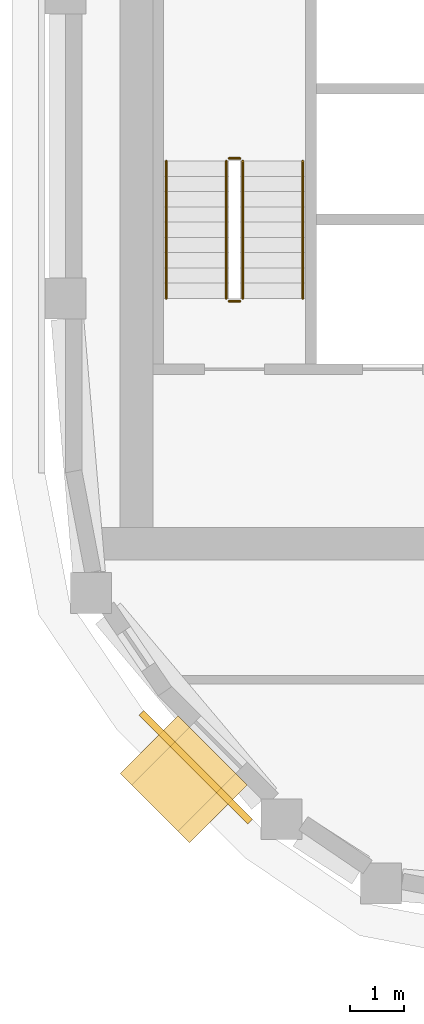
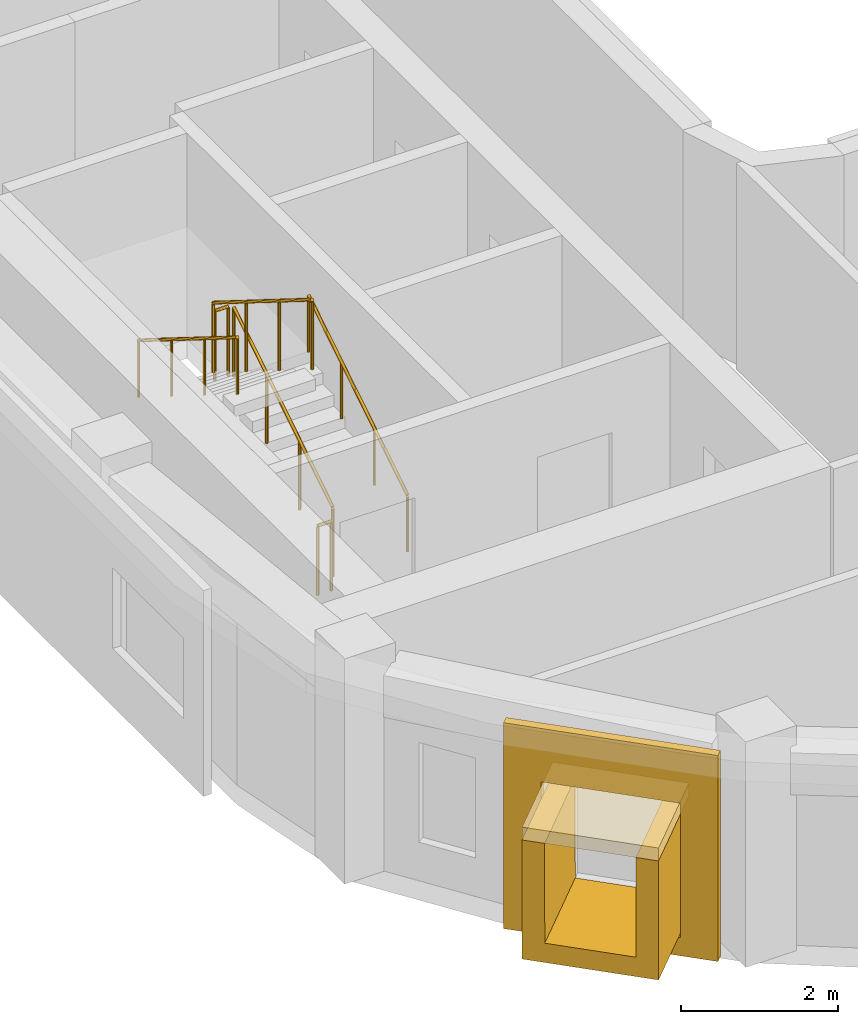
# One storey, part 10 of 16: 6 railings, 3 coverings.
"""IFC4 building model written with IfcOpenShell, lengths in metres."""

import ifcopenshell
import ifcopenshell.guid

model = None  # the IFC model being written
_history = None  # IfcOwnerHistory: only IFC2X3 demands one
_inside = {}  # id of a spatial element -> (the spatial element, [elements in it])
_under = {}  # id of a project, library or spatial element -> (it, [spatial elements below it])
_declared = {}  # id of a project -> (the project, [libraries it declares])
_typed = {}  # id of a type object -> (the type object, [elements of that type])
_made_of = {}  # id of a material, layer set ... -> (it, [elements and type objects made of it])


def new_model(schema):
    """Start an empty IFC model of exactly this schema.

    Asked for "IFC4X3", IfcOpenShell would pick the latest addendum, in which some entities
    have other attributes; the version numbers below select the first issue.
    IFC2X3 requires an IfcOwnerHistory on every rooted entity: one is made here for all.
    """
    global model, _history
    if schema == "IFC4X3":
        model = ifcopenshell.file(schema_version=(4, 3, 0, 0))
    else:
        model = ifcopenshell.file(schema=schema)
    _inside.clear()
    _under.clear()
    _declared.clear()
    _typed.clear()
    _made_of.clear()
    _history = None
    if model.schema == "IFC2X3":
        org = make("IfcOrganization", Name="unknown")
        user = make(
            "IfcPersonAndOrganization",
            ThePerson=make("IfcPerson", FamilyName="unknown"),
            TheOrganization=org,
        )
        app = make(
            "IfcApplication",
            ApplicationDeveloper=org,
            Version="unknown",
            ApplicationFullName="unknown",
            ApplicationIdentifier="unknown",
        )
        _history = make(
            "IfcOwnerHistory",
            OwningUser=user,
            OwningApplication=app,
            ChangeAction="ADDED",
            CreationDate=0,
        )
    return model


def make(cls, **values):
    """One entity of the class cls with the attributes given. An attribute that is None is left unset."""
    return model.create_entity(
        cls, **{name: value for name, value in values.items() if value is not None}
    )


def rooted(cls, **values):
    """An entity with a GlobalId (a new one), such as an element, a storey or a relation."""
    return make(cls, GlobalId=ifcopenshell.guid.new(), OwnerHistory=_history, **values)


def si_unit(unit_type, name, prefix=None):
    """IfcSIUnit, for example si_unit("LENGTHUNIT", "METRE", prefix="MILLI")."""
    return make("IfcSIUnit", UnitType=unit_type, Prefix=prefix, Name=name)


def assignment(units):
    """IfcUnitAssignment: the units of a project."""
    return None if units is None else make("IfcUnitAssignment", Units=units)


def point(xyz):
    """IfcCartesianPoint."""
    return None if xyz is None else make("IfcCartesianPoint", Coordinates=xyz)


def direction(xyz):
    """IfcDirection."""
    return None if xyz is None else make("IfcDirection", DirectionRatios=xyz)


def frame(location, z_axis=None, x_axis=None):
    """IfcAxis2Placement3D, a coordinate frame: its origin and axes. An axis left out is left unset."""
    return make(
        "IfcAxis2Placement3D",
        Location=point(location),
        Axis=direction(z_axis),
        RefDirection=direction(x_axis),
    )


def frame_2d(location, x_axis=None):
    """IfcAxis2Placement2D, a coordinate frame in the plane: its origin and x axis."""
    return make(
        "IfcAxis2Placement2D", Location=point(location), RefDirection=direction(x_axis)
    )


def origin():
    """The frame at (0, 0, 0) with its axes left unset."""
    return frame((0.0, 0.0, 0.0))


def origin_2d():
    """The frame at (0, 0) in the plane with its x axis left unset."""
    return frame_2d((0.0, 0.0))


def place(relative_to, where):
    """IfcLocalPlacement: puts the frame where relative to a parent placement (None: the world)."""
    return make(
        "IfcLocalPlacement", PlacementRelTo=relative_to, RelativePlacement=where
    )


def context(
    kind, dimensions, precision=None, world=None, true_north=None, identifier=None
):
    """IfcGeometricRepresentationContext, for example the 3D "Model" context."""
    return make(
        "IfcGeometricRepresentationContext",
        ContextIdentifier=identifier,
        ContextType=kind,
        CoordinateSpaceDimension=dimensions,
        Precision=precision,
        WorldCoordinateSystem=world,
        TrueNorth=true_north,
    )


def subcontext(parent, identifier, kind, view, scale=None):
    """IfcGeometricRepresentationSubContext, for example "Body" below "Model"."""
    return make(
        "IfcGeometricRepresentationSubContext",
        ContextIdentifier=identifier,
        ContextType=kind,
        ParentContext=parent,
        TargetScale=scale,
        TargetView=view,
    )


def project(units=None, contexts=None):
    """IfcProject with its units and contexts."""
    return rooted(
        "IfcProject",
        Name="project",
        RepresentationContexts=contexts,
        UnitsInContext=assignment(units),
    )


def spatial(cls, under=None, at=None, **own):
    """A site, building, storey or space (cls), placed at a placement, below another one or the project."""
    s = rooted(cls, ObjectPlacement=at, **own)
    if under is not None:
        _under.setdefault(under.id(), (under, []))[1].append(s)
    return s


def polyline(points):
    """IfcPolyline through the points."""
    return make("IfcPolyline", Points=[point(p) for p in points])


def profile(cls, at=None, kind="AREA", **sizes):
    """A parametric profile (cls). Its sizes go by their IFC names, for example OverallWidth=200.0."""
    return make(cls, ProfileType=kind, Position=at, **sizes)


def rectangle(**sizes):
    """IfcRectangleProfileDef."""
    return profile("IfcRectangleProfileDef", **sizes)


def circle(**sizes):
    """IfcCircleProfileDef."""
    return profile("IfcCircleProfileDef", **sizes)


def outline(outer, holes=None, kind="AREA"):
    """IfcArbitraryClosedProfileDef: a profile drawn as a closed curve; with holes, ...WithVoids."""
    if holes is None:
        return make("IfcArbitraryClosedProfileDef", ProfileType=kind, OuterCurve=outer)
    return make(
        "IfcArbitraryProfileDefWithVoids",
        ProfileType=kind,
        OuterCurve=outer,
        InnerCurves=holes,
    )


def extrude(swept, where, along, depth):
    """IfcExtrudedAreaSolid: the profile swept, set in the frame where, extruded along a direction by depth."""
    return make(
        "IfcExtrudedAreaSolid",
        SweptArea=swept,
        Position=where,
        ExtrudedDirection=direction(along),
        Depth=depth,
    )


def shape(context_of_items, identifier, shape_type, items):
    """IfcShapeRepresentation: the items that make up one representation, for example the "Body"."""
    return make(
        "IfcShapeRepresentation",
        ContextOfItems=context_of_items,
        RepresentationIdentifier=identifier,
        RepresentationType=shape_type,
        Items=items,
    )


def material(Name=None, Category=None):
    """IfcMaterial."""
    return make("IfcMaterial", Name=Name, Category=Category)


def layer(
    of_material, thickness, ventilated=None, Name=None, Category=None, Priority=None
):
    """IfcMaterialLayer: one layer of a wall or slab, of a material (None: an air gap)."""
    return make(
        "IfcMaterialLayer",
        Material=of_material,
        LayerThickness=thickness,
        IsVentilated=ventilated,
        Name=Name,
        Category=Category,
        Priority=Priority,
    )


def layer_set(layers, Name=None):
    """IfcMaterialLayerSet."""
    return make("IfcMaterialLayerSet", MaterialLayers=layers, LayerSetName=Name)


def made_of(thing, what):
    """Note that an element or type object is made of a material, layer set ...; save() writes the relation."""
    if what is not None:
        _made_of.setdefault(what.id(), (what, []))[1].append(thing)
    return thing


def type_object(cls, material=None, **own):
    """A type object (cls), such as IfcWallType, which elements share."""
    return made_of(rooted(cls, **own), material)


def element(
    cls,
    number,
    at=None,
    inside=None,
    cuts=None,
    type_object=None,
    material=None,
    context=None,
    identifier="Body",
    shape_type=None,
    held_by="IfcProductDefinitionShape",
    body=None,
    shapes=None,
    **own,
):
    """One element of the class cls, such as IfcWall. Its Tag is "e" and its number.

    at: its placement. inside: the storey or other place that contains it. cuts: it is an
    opening in that element (IfcRelVoidsElement). A single representation is given by context,
    identifier, shape_type and body (its items); several are given by shapes. held_by: the class
    of the entity that holds the representations. save() writes the other relations.
    """
    e = rooted(cls, Tag="e%d" % number, ObjectPlacement=at, **own)
    if body is not None:
        shapes = [shape(context, identifier, shape_type, body)]
    if shapes is not None:
        e.Representation = make(held_by, Representations=shapes)
    if inside is not None:
        _inside.setdefault(inside.id(), (inside, []))[1].append(e)
    if cuts is not None:
        rooted(
            "IfcRelVoidsElement", RelatingBuildingElement=cuts, RelatedOpeningElement=e
        )
    if type_object is not None:
        _typed.setdefault(type_object.id(), (type_object, []))[1].append(e)
    return made_of(e, material)


def aggregate(whole, parts):
    """IfcRelAggregates: a whole, such as a stair, and the parts it consists of."""
    return rooted("IfcRelAggregates", RelatingObject=whole, RelatedObjects=parts)


def save(model, path):
    """Write the relations noted so far, then the file.

    IfcRelAggregates (storeys below a building ...), IfcRelContainedInSpatialStructure (elements
    in a storey), IfcRelDefinesByType, IfcRelAssociatesMaterial and IfcRelDeclares: one each for
    every whole, place, type object, material and project.
    """
    for whole, parts in _under.values():
        aggregate(whole, parts)
    for where, things in _inside.values():
        rooted(
            "IfcRelContainedInSpatialStructure",
            RelatedElements=things,
            RelatingStructure=where,
        )
    for kind, things in _typed.values():
        rooted("IfcRelDefinesByType", RelatedObjects=things, RelatingType=kind)
    for what, things in _made_of.values():
        rooted("IfcRelAssociatesMaterial", RelatedObjects=things, RelatingMaterial=what)
    for by, libraries in _declared.values():
        rooted("IfcRelDeclares", RelatingContext=by, RelatedDefinitions=libraries)
    model.write(path)


model = new_model("IFC4")

# Units and contexts
model_context = context("Model", 3, precision=1e-05, world=origin(), true_north=direction((0.0, 1.0)))
body_context = subcontext(model_context, "Body", "Model", "MODEL_VIEW")
ifc_project = project(units=[si_unit("LENGTHUNIT", "METRE"), si_unit("AREAUNIT", "SQUARE_METRE"), si_unit("VOLUMEUNIT", "CUBIC_METRE"), si_unit("PLANEANGLEUNIT", "RADIAN"), si_unit("MASSUNIT", "GRAM", prefix="KILO")], contexts=[model_context])

# Site, building, storey
site_placement = place(None, origin())
site = spatial("IfcSite", under=ifc_project, at=site_placement, CompositionType="ELEMENT")
building_placement = place(site_placement, origin())
building = spatial("IfcBuilding", under=site, at=building_placement, Name="Kiln Ring Residences", CompositionType="ELEMENT")
storey_placement = place(building_placement, frame((0.0, 0.0, 269.699951171875)))
storey = spatial("IfcBuildingStorey", under=building, at=storey_placement, Name="L70", CompositionType="ELEMENT", Elevation=269.699951171875)

# Railings
ifc_material_1 = material(Name="Stainless steel", Category="steel")
railing_type_1 = type_object("IfcRailingType", Name="CORE-STAIR-GUARD", PredefinedType="GUARDRAIL", material=ifc_material_1)
railing_1_placement = place(storey_placement, frame((-21.949951171875, -8.39990234375, 0.175048828125)))
element("IfcRailing", 1, at=railing_1_placement, inside=storey, type_object=railing_type_1, Name="L70 W-STS stair guard 1", PredefinedType="GUARDRAIL", context=body_context, shape_type="SweptSolid", body=[
    extrude(circle(Radius=0.02392578125, at=origin_2d()), frame((0.0, 0.0, 1.076171875), z_axis=(0.0, 0.848007534815, 0.529984170421), x_axis=(-1.0, 0.0, 0.0)), (0.0, 0.0, 1.0), 2.9716796875),
    extrude(circle(Radius=0.02099609375, at=origin_2d()), origin(), (0.0, 0.0, 1.0), 1.052001953125),
    extrude(circle(Radius=0.02099609375, at=origin_2d()), frame((0.0, 0.840087890625, 0.52490234375)), (0.0, 0.0, 1.0), 1.052001953125),
    extrude(circle(Radius=0.02099609375, at=origin_2d()), frame((0.0, 1.679931640625, 1.050048828125)), (0.0, 0.0, 1.0), 1.052001953125),
    extrude(circle(Radius=0.02099609375, at=origin_2d()), frame((0.0, 2.52001953125, 1.574951171875)), (0.0, 0.0, 1.0), 1.052001953125),
])
railing_2_placement = place(storey_placement, frame((-22.0, -5.830078125, 1.75)))
element("IfcRailing", 2, at=railing_2_placement, inside=storey, type_object=railing_type_1, Name="L70 W-STS stair guard 2", PredefinedType="GUARDRAIL", context=body_context, shape_type="SweptSolid", body=[
    extrude(circle(Radius=0.02392578125, at=origin_2d()), frame((0.0, 0.0, 1.076171875), z_axis=(-1.0, 0.0, 0.0), x_axis=(0.0, -1.0, 0.0)), (0.0, 0.0, 1.0), 0.199951171875),
    extrude(circle(Radius=0.02099609375, at=origin_2d()), origin(), (0.0, 0.0, 1.0), 1.052001953125),
    extrude(circle(Radius=0.02099609375, at=origin_2d()), frame((-0.199951171875, 0.0, 0.0)), (0.0, 0.0, 1.0), 1.052001953125),
])
railing_3_placement = place(storey_placement, frame((-22.25, -5.8798828125, 1.925048828125)))
element("IfcRailing", 3, at=railing_3_placement, inside=storey, type_object=railing_type_1, Name="L70 W-STS stair guard 3", PredefinedType="GUARDRAIL", context=body_context, shape_type="SweptSolid", body=[
    extrude(circle(Radius=0.02392578125, at=origin_2d()), frame((0.0, 0.0, 1.076171875), z_axis=(0.0, -0.848007534815, 0.529984170421), x_axis=(1.0, 0.0, 0.0)), (0.0, 0.0, 1.0), 2.9716796875),
    extrude(circle(Radius=0.02099609375, at=origin_2d()), origin(), (0.0, 0.0, 1.0), 1.052001953125),
    extrude(circle(Radius=0.02099609375, at=origin_2d()), frame((0.0, -0.840087890625, 0.52490234375)), (0.0, 0.0, 1.0), 1.052001953125),
    extrude(circle(Radius=0.02099609375, at=origin_2d()), frame((0.0, -1.679931640625, 1.050048828125)), (0.0, 0.0, 1.0), 1.052001953125),
    extrude(circle(Radius=0.02099609375, at=origin_2d()), frame((0.0, -2.52001953125, 1.574951171875)), (0.0, 0.0, 1.0), 1.052001953125),
])
railing_4_placement = place(storey_placement, frame((-22.0, -8.449951171875, 0.0)))
element("IfcRailing", 4, at=railing_4_placement, inside=storey, type_object=railing_type_1, Name="L70 W-STS stair guard 4", PredefinedType="GUARDRAIL", context=body_context, shape_type="SweptSolid", body=[
    extrude(circle(Radius=0.02392578125, at=origin_2d()), frame((0.0, 0.0, 1.076171875), z_axis=(-1.0, 0.0, 0.0), x_axis=(0.0, -1.0, 0.0)), (0.0, 0.0, 1.0), 0.199951171875),
    extrude(circle(Radius=0.02099609375, at=origin_2d()), origin(), (0.0, 0.0, 1.0), 1.052001953125),
    extrude(circle(Radius=0.02099609375, at=origin_2d()), frame((-0.199951171875, 0.0, 0.0)), (0.0, 0.0, 1.0), 1.052001953125),
])
ifc_material_2 = material(Name="Stainless steel", Category="steel")
railing_type_2 = type_object("IfcRailingType", Name="CORE-STAIR-HANDRAIL", PredefinedType="HANDRAIL", material=ifc_material_2)
railing_5_placement = place(storey_placement, frame((-20.85009765625, -8.39990234375, 0.175048828125)))
element("IfcRailing", 5, at=railing_5_placement, inside=storey, type_object=railing_type_2, Name="L70 W-STS stair handrail 1", PredefinedType="HANDRAIL", context=body_context, shape_type="SweptSolid", body=[
    extrude(circle(Radius=0.02392578125, at=origin_2d()), frame((0.0, 0.0, 0.8759765625), z_axis=(0.0, 0.848007534815, 0.529984170421), x_axis=(-1.0, 0.0, 0.0)), (0.0, 0.0, 1.0), 2.9716796875),
    extrude(circle(Radius=0.02099609375, at=origin_2d()), origin(), (0.0, 0.0, 1.0), 0.851806640625),
    extrude(circle(Radius=0.02099609375, at=origin_2d()), frame((0.0, 0.840087890625, 0.52490234375)), (0.0, 0.0, 1.0), 0.851806640625),
    extrude(circle(Radius=0.02099609375, at=origin_2d()), frame((0.0, 1.679931640625, 1.050048828125)), (0.0, 0.0, 1.0), 0.851806640625),
    extrude(circle(Radius=0.02099609375, at=origin_2d()), frame((0.0, 2.52001953125, 1.574951171875)), (0.0, 0.0, 1.0), 0.851806640625),
])
railing_6_placement = place(storey_placement, frame((-23.35009765625, -5.8798828125, 1.925048828125)))
element("IfcRailing", 6, at=railing_6_placement, inside=storey, type_object=railing_type_2, Name="L70 W-STS stair handrail 2", PredefinedType="HANDRAIL", context=body_context, shape_type="SweptSolid", body=[
    extrude(circle(Radius=0.02392578125, at=origin_2d()), frame((0.0, 0.0, 0.8759765625), z_axis=(0.0, -0.848007534815, 0.529984170421), x_axis=(1.0, 0.0, 0.0)), (0.0, 0.0, 1.0), 2.9716796875),
    extrude(circle(Radius=0.02099609375, at=origin_2d()), origin(), (0.0, 0.0, 1.0), 0.851806640625),
    extrude(circle(Radius=0.02099609375, at=origin_2d()), frame((0.0, -0.840087890625, 0.52490234375)), (0.0, 0.0, 1.0), 0.851806640625),
    extrude(circle(Radius=0.02099609375, at=origin_2d()), frame((0.0, -1.679931640625, 1.050048828125)), (0.0, 0.0, 1.0), 0.851806640625),
    extrude(circle(Radius=0.02099609375, at=origin_2d()), frame((0.0, -2.52001953125, 1.574951171875)), (0.0, 0.0, 1.0), 0.851806640625),
])

# Coverings
ifc_material_3 = material(Name="Brick masonry, dark clay brick", Category="masonry")
ifc_layer_1 = layer(ifc_material_3, 0.300048828125)
ifc_layer_set_1 = layer_set([ifc_layer_1], Name="FRAME CHEEKS AND SILL 1500")
covering_type_1 = type_object("IfcCoveringType", Name="FRAME CHEEKS AND SILL 1500", PredefinedType="CLADDING", material=ifc_layer_set_1)
covering_1_placement = place(storey_placement, frame((-23.6708984375, -16.58984375, 0.300048828125), z_axis=(0.0, 0.0, 1.0), x_axis=(0.707106781187, -0.707106781187, 0.0)))
element("IfcCovering", 7, at=covering_1_placement, inside=storey, type_object=covering_type_1, Name="FRAME L70", PredefinedType="CLADDING", context=body_context, shape_type="SweptSolid", body=[
    extrude(outline(polyline([(0.0, 0.0), (1.7998046875, 0.0), (1.800048828125, 1.85009765625), (1.5009765625, 1.85009765625), (1.5, 0.300048828125), (0.300048828125, 0.300048828125), (0.299072265625, 1.85009765625), (0.0, 1.85009765625), (0.0, 0.0)])), frame((0.0, 0.75, 0.0), z_axis=(0.0, -1.0, 0.0), x_axis=(1.0, 0.0, 0.0)), (0.0, 0.0, 1.0), 1.5),
])
ifc_material_4 = material(Name="Brick masonry, dark clay brick", Category="masonry")
ifc_layer_2 = layer(ifc_material_4, 0.199951171875)
ifc_layer_set_2 = layer_set([ifc_layer_2], Name="FRAME HEAD 1500")
covering_type_2 = type_object("IfcCoveringType", Name="FRAME HEAD 1500", PredefinedType="CLADDING", material=ifc_layer_set_2)
covering_2_placement = place(storey_placement, frame((-23.034423828125, -17.22607421875, 2.14990234375), z_axis=(0.0, 0.0, 1.0), x_axis=(0.707106781187, -0.707106781187, 0.0)))
element("IfcCovering", 8, at=covering_2_placement, inside=storey, type_object=covering_type_2, Name="FRAME HEAD L70", PredefinedType="CLADDING", context=body_context, shape_type="SweptSolid", body=[
    extrude(rectangle(XDim=1.800048828125, YDim=1.5, at=origin_2d()), origin(), (0.0, 0.0, 1.0), 0.199951171875),
])
ifc_material_5 = material(Name="Brick masonry, dark clay brick", Category="masonry")
ifc_layer_3 = layer(ifc_material_5, 0.1201171875)
ifc_layer_set_3 = layer_set([ifc_layer_3], Name="RAINSCREEN PANEL 120")
covering_type_3 = type_object("IfcCoveringType", Name="RAINSCREEN PANEL 120", PredefinedType="CLADDING", material=ifc_layer_set_3)
covering_3_placement = place(storey_placement, frame((-23.810546875, -16.004638671875, 0.0), z_axis=(0.0, 0.0, 1.0), x_axis=(0.707106781187, -0.707106781187, 0.0)))
element("IfcCovering", 9, at=covering_3_placement, inside=storey, type_object=covering_type_3, Name="RAINSCREEN L70", PredefinedType="CLADDING", context=body_context, shape_type="SweptSolid", body=[
    extrude(outline(polyline([(0.0, 0.0), (2.824951171875, 0.0), (2.824951171875, 3.199951171875), (0.0, 3.199951171875), (0.0, 0.0)]), holes=[polyline([(0.492431640625, 2.3701171875), (0.492431640625, 0.280029296875), (2.33251953125, 0.280029296875), (2.33251953125, 2.3701171875), (0.492431640625, 2.3701171875)])]), frame((0.0, 0.06005859375, 0.0), z_axis=(0.0, -1.0, 0.0), x_axis=(1.0, 0.0, 0.0)), (0.0, 0.0, 1.0), 0.1201171875),
])

save(model, "model.ifc")
